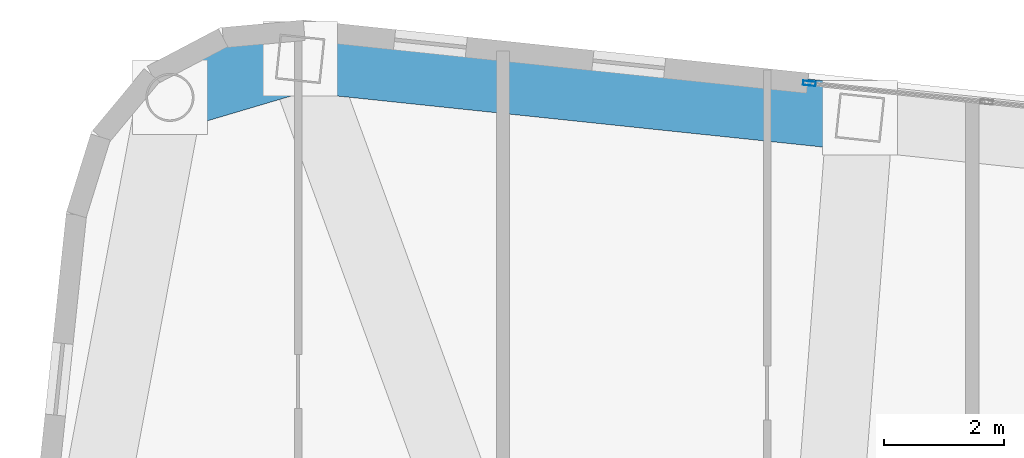
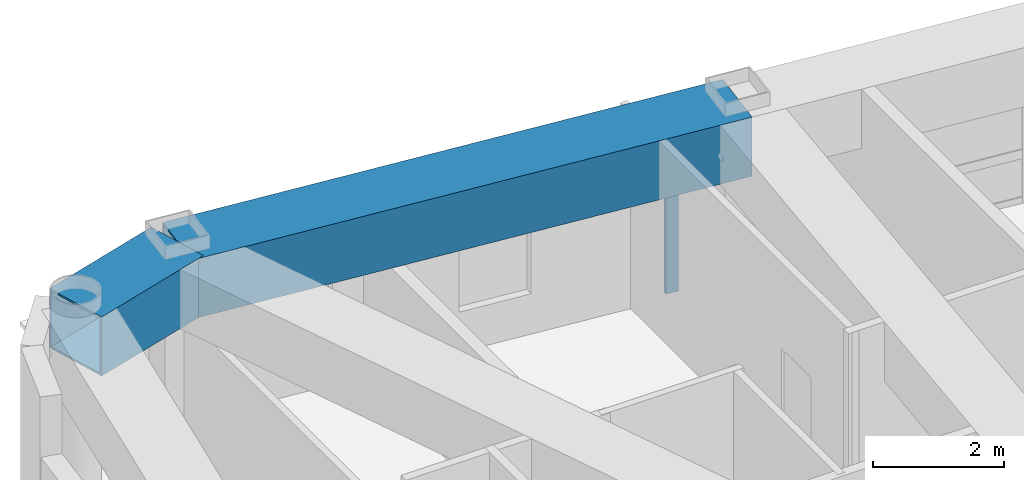
# One storey, part 2 of 16: 2 beams, 1 member, 1 element without a shape of its own.
"""IFC4 building model written with IfcOpenShell, lengths in metres."""

from ifc_helpers import new_model, si_unit, direction, frame, origin, origin_2d, place, context, subcontext, project, spatial, hollow_rectangle, extrude, material, layer, layer_set, material_profile, profile_set, type_object, element, aggregate, save


model = new_model("IFC4")

# Units and contexts
model_context = context("Model", 3, precision=1e-05, world=origin(), true_north=direction((0.0, 1.0)))
body_context = subcontext(model_context, "Body", "Model", "MODEL_VIEW")
ifc_project = project(units=[si_unit("LENGTHUNIT", "METRE"), si_unit("AREAUNIT", "SQUARE_METRE"), si_unit("VOLUMEUNIT", "CUBIC_METRE"), si_unit("PLANEANGLEUNIT", "RADIAN"), si_unit("MASSUNIT", "GRAM", prefix="KILO")], contexts=[model_context])

# Site, building, storey
site_placement = place(None, origin())
site = spatial("IfcSite", under=ifc_project, at=site_placement, CompositionType="ELEMENT")
building_placement = place(site_placement, origin())
building = spatial("IfcBuilding", under=site, at=building_placement, Name="Voryun Gate Residences", CompositionType="ELEMENT")
storey_placement = place(building_placement, frame((0.0, 0.0, 260.0)))
storey = spatial("IfcBuildingStorey", under=building, at=storey_placement, Name="L64", CompositionType="ELEMENT", Elevation=260.0)

# Beams
ifc_material_1 = material(Name="Steel SM420", Category="steel")
ifc_material_profile_1 = material_profile(ifc_material_1, hollow_rectangle(XDim=1.10009765625, YDim=1.10009765625, WallThickness=0.035888671875, at=origin_2d()), Name="BOX-1100x1100x36")
ifc_profile_set_1 = profile_set([ifc_material_profile_1], Name="Steel SM420")
beam_type = type_object("IfcBeamType", Name="BM_ARCH_RIB", PredefinedType="USERDEFINED", material=ifc_profile_set_1)
beam_1_placement = place(storey_placement, frame((-14.666015625, 19.51806640625, 3.10009765625), z_axis=(-0.994520307047, 0.104543574031, 0.0), x_axis=(-0.104543574031, -0.994520307047, 0.0)))
element("IfcBeam", 1, at=beam_1_placement, inside=storey, type_object=beam_type, Name="BM-L64-SPAND-15", ObjectType="GIRDER", PredefinedType="USERDEFINED", context=body_context, shape_type="SweptSolid", body=[
    extrude(hollow_rectangle(XDim=1.10009765625, YDim=1.10009765625, WallThickness=0.035888671875, at=origin_2d()), origin(), (0.0, 0.0, 1.0), 9.35986328125),
])
beam_2_placement = place(storey_placement, frame((-23.974609375, 20.49658203125, 3.10009765625), z_axis=(-0.958805748412, -0.28406255792, 0.0), x_axis=(0.28406255792, -0.958805748412, 0.0)))
element("IfcBeam", 2, at=beam_2_placement, inside=storey, type_object=beam_type, Name="BM-L64-SPAND-16", ObjectType="GIRDER", PredefinedType="USERDEFINED", context=body_context, shape_type="SweptSolid", body=[
    extrude(hollow_rectangle(XDim=1.10009765625, YDim=1.10009765625, WallThickness=0.035888671875, at=origin_2d()), origin(), (0.0, 0.0, 1.0), 2.2578125),
])

# Curtain wall, member
ifc_material_2 = material(Name="Anodised aluminium", Category="aluminium")
ifc_layer = layer(ifc_material_2, 0.2099609375, Name="CW_SYS_SKYGARDEN_DARK_GLASS")
ifc_layer_set = layer_set([ifc_layer], Name="Anodised aluminium")
curtain_wall_type = type_object("IfcCurtainWallType", Name="CW_SYS_SKYGARDEN_DARK_GLASS", PredefinedType="NOTDEFINED", material=ifc_layer_set)
curtain_wall_placement = place(storey_placement, origin())
curtain_wall = element("IfcCurtainWall", 3, at=curtain_wall_placement, inside=storey, type_object=curtain_wall_type, Name="Curtain wall CW5-L64-SG-11", PredefinedType="NOTDEFINED")
ifc_material_3 = material(Name="Anodised aluminium", Category="aluminium")
ifc_material_profile_2 = material_profile(ifc_material_3, hollow_rectangle(XDim=0.074951171875, YDim=0.2099609375, WallThickness=0.0048828125, at=origin_2d()), Name="ALU-MULL-210x75x5")
ifc_profile_set_2 = profile_set([ifc_material_profile_2], Name="Anodised aluminium")
member_type = type_object("IfcMemberType", Name="CW_MULL_SKY", PredefinedType="MULLION", material=ifc_profile_set_2)
member_placement = place(storey_placement, frame((-15.506103515625, 20.089111328125, 0.0), z_axis=(0.0, 0.0, 1.0), x_axis=(0.104532256285, 0.994521496699, 0.0)))
member = element("IfcMember", 4, at=member_placement, type_object=member_type, Name="CW5 mullion 1", PredefinedType="MULLION", context=body_context, shape_type="SweptSolid", body=[
    extrude(hollow_rectangle(XDim=0.074951171875, YDim=0.2099609375, WallThickness=0.0048828125, at=origin_2d()), origin(), (0.0, 0.0, 1.0), 2.5400390625),
])
aggregate(curtain_wall, [member])

save(model, "model.ifc")
